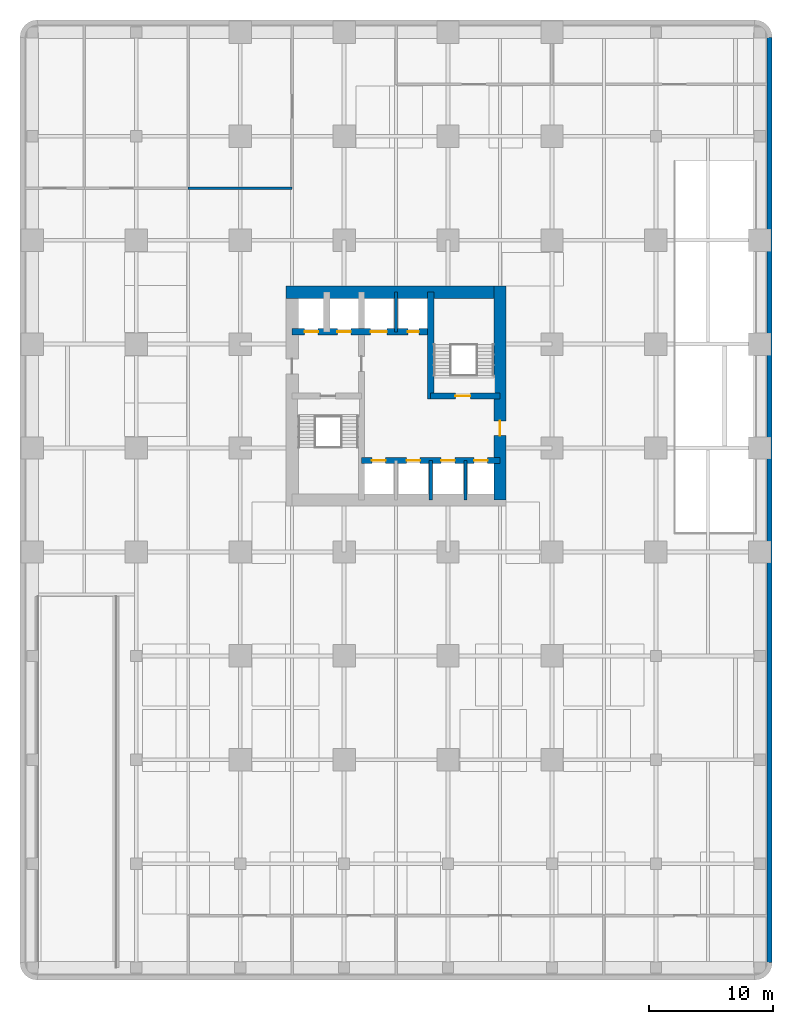
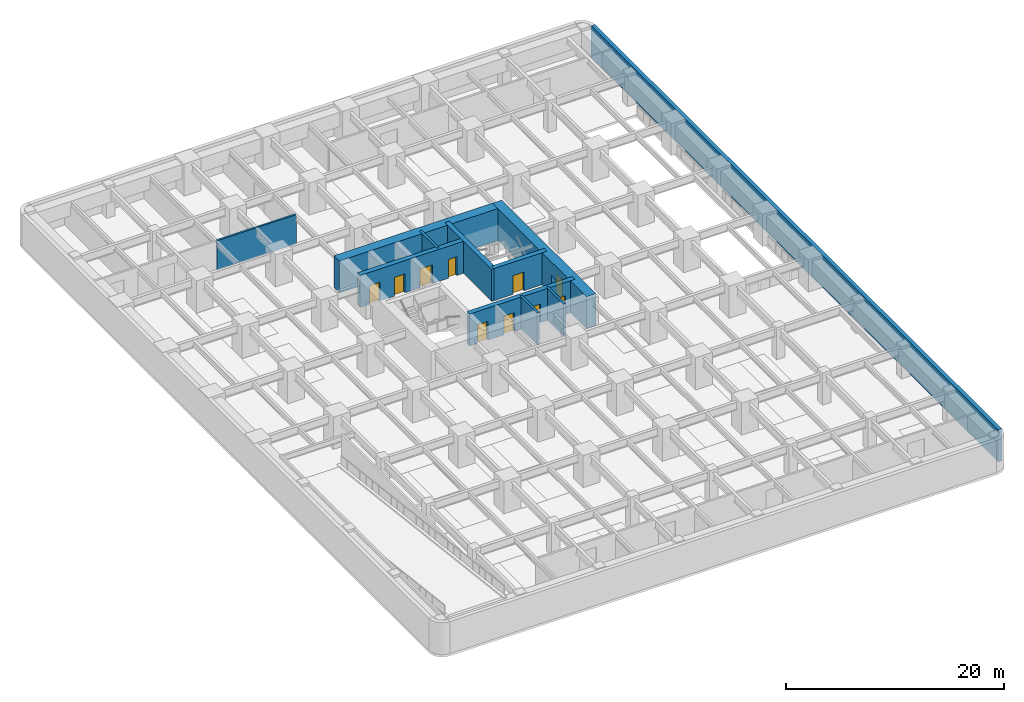
# One storey, part 5 of 9: 11 walls, 10 doors, 10 openings.
"""IFC4 building model written with IfcOpenShell, lengths in metres."""

from ifc_helpers import new_model, si_unit, direction, frame, frame_2d, origin, place, context, subcontext, project, spatial, rectangle, extrude, material, layer, layer_set, type_object, element, fill, save


model = new_model("IFC4")

# Units and contexts
model_context = context("Model", 3, precision=1e-05, world=origin(), true_north=direction((0.0, 1.0)))
body_context = subcontext(model_context, "Body", "Model", "MODEL_VIEW")
ifc_project = project(units=[si_unit("LENGTHUNIT", "METRE"), si_unit("AREAUNIT", "SQUARE_METRE"), si_unit("VOLUMEUNIT", "CUBIC_METRE"), si_unit("PLANEANGLEUNIT", "RADIAN"), si_unit("MASSUNIT", "GRAM", prefix="KILO")], contexts=[model_context])

# Site, building, storey
site_placement = place(None, origin())
site = spatial("IfcSite", under=ifc_project, at=site_placement, CompositionType="ELEMENT")
building_placement = place(site_placement, origin())
building = spatial("IfcBuilding", under=site, at=building_placement, Name="Torre Alcanfor", CompositionType="ELEMENT")
storey_placement = place(building_placement, frame((0.0, 0.0, -3.60009765625)))
storey = spatial("IfcBuildingStorey", under=building, at=storey_placement, Name="B1", CompositionType="ELEMENT", Elevation=-3.60009765625)

# Wall
ifc_material_1 = material(Name="Concrete f'c 70 MPa", Category="concrete")
ifc_layer_1 = layer(ifc_material_1, 0.39990234375)
ifc_layer_set_1 = layer_set([ifc_layer_1], Name="Basement retaining wall 400")
wall_type_1 = type_object("IfcWallType", Name="Basement retaining wall 400", PredefinedType="SOLIDWALL", material=ifc_layer_set_1)
wall_1_placement = place(storey_placement, frame((59.60009765625, -16.39990234375, 0.0), z_axis=(0.0, 0.0, 1.0), x_axis=(0.0, 1.0, 0.0)))
element("IfcWall", 1, at=wall_1_placement, inside=storey, type_object=wall_type_1, Name="Retaining wall B1 1", PredefinedType="SOLIDWALL", context=body_context, shape_type="SweptSolid", body=[
    extrude(rectangle(XDim=74.7998046875, YDim=0.39990234375, at=frame_2d((37.39990234375, 0.0))), origin(), (0.0, 0.0, 1.0), 3.60009765625),
])

# Wall, openings, doors
ifc_material_2 = material(Name="Concrete f'c 70 MPa", Category="concrete")
ifc_layer_2 = layer(ifc_material_2, 0.5)
ifc_layer_set_2 = layer_set([ifc_layer_2], Name="Core inner wall 500 f'c70")
wall_type_2 = type_object("IfcWallType", Name="Core inner wall 500 f'c70", PredefinedType="SHEAR", material=ifc_layer_set_2)
wall_2_placement = place(storey_placement, frame((21.0, 34.60009765625, 0.0), z_axis=(0.0, 0.0, 1.0), x_axis=(1.0, 0.0, 0.0)))
wall_2 = element("IfcWall", 2, at=wall_2_placement, inside=storey, type_object=wall_type_2, Name="Core wall Y346 B1", PredefinedType="SHEAR", context=body_context, shape_type="SweptSolid", body=[
    extrude(rectangle(XDim=11.199951171875, YDim=0.5, at=frame_2d((5.60009765625, 0.0))), origin(), (0.0, 0.0, 1.0), 3.60009765625),
])
opening_1_placement = place(wall_2_placement, frame((9.35009765625, 0.0, 0.0)))
opening_1 = element("IfcOpeningElement", 3, at=opening_1_placement, cuts=wall_2, Name="Opening D-Q1", PredefinedType="OPENING", context=body_context, shape_type="SweptSolid", body=[
    extrude(rectangle(XDim=0.89990234375, YDim=2.10009765625, at=frame_2d((0.449951171875, 1.050048828125))), frame((0.0, 0.260009765625, 0.0), z_axis=(0.0, -1.0, 0.0), x_axis=(1.0, 0.0, 0.0)), (0.0, 0.0, 1.0), 0.52001953125),
])
opening_2_placement = place(wall_2_placement, frame((1.0, 0.0, 0.0)))
opening_2 = element("IfcOpeningElement", 4, at=opening_2_placement, cuts=wall_2, Name="Opening LD2", PredefinedType="OPENING", context=body_context, shape_type="SweptSolid", body=[
    extrude(rectangle(XDim=1.10009765625, YDim=2.10009765625, at=frame_2d((0.550048828125, 1.050048828125))), frame((0.0, 0.260009765625, 0.0), z_axis=(0.0, -1.0, 0.0), x_axis=(1.0, 0.0, 0.0)), (0.0, 0.0, 1.0), 0.52001953125),
])
opening_3_placement = place(wall_2_placement, frame((3.64990234375, 0.0, 0.0)))
opening_3 = element("IfcOpeningElement", 5, at=opening_3_placement, cuts=wall_2, Name="Opening LD2", PredefinedType="OPENING", context=body_context, shape_type="SweptSolid", body=[
    extrude(rectangle(XDim=1.10009765625, YDim=2.10009765625, at=frame_2d((0.550048828125, 1.050048828125))), frame((0.0, 0.260009765625, 0.0), z_axis=(0.0, -1.0, 0.0), x_axis=(1.0, 0.0, 0.0)), (0.0, 0.0, 1.0), 0.52001953125),
])
opening_4_placement = place(wall_2_placement, frame((6.35009765625, 0.0, 0.0)))
opening_4 = element("IfcOpeningElement", 6, at=opening_4_placement, cuts=wall_2, Name="Opening LD3", PredefinedType="OPENING", context=body_context, shape_type="SweptSolid", body=[
    extrude(rectangle(XDim=1.300048828125, YDim=2.10009765625, at=frame_2d((0.64990234375, 1.050048828125))), frame((0.0, 0.260009765625, 0.0), z_axis=(0.0, -1.0, 0.0), x_axis=(1.0, 0.0, 0.0)), (0.0, 0.0, 1.0), 0.52001953125),
])
ifc_material_3 = material(Name="Galvanised steel sheet ASTM A653", Category="steel")
door_type_1 = type_object("IfcDoorType", Name="Firefighting lift landing door 1100x2100", OperationType="DOUBLE_DOOR_SLIDING", PredefinedType="DOOR", material=ifc_material_3)
door_1_placement = place(opening_2_placement, origin())
door_1 = element("IfcDoor", 7, at=door_1_placement, inside=storey, type_object=door_type_1, Name="Lift landing door FL1 B1", OperationType="DOUBLE_DOOR_SLIDING", OverallHeight=2.10009765625, OverallWidth=1.10009765625, PredefinedType="DOOR", context=body_context, shape_type="SweptSolid", body=[
    extrude(rectangle(XDim=1.10009765625, YDim=2.10009765625, at=frame_2d((0.550048828125, 1.050048828125))), frame((0.0, 0.02490234375, 0.0), z_axis=(0.0, -1.0, 0.0), x_axis=(1.0, 0.0, 0.0)), (0.0, 0.0, 1.0), 0.050048828125),
])
fill(opening_2, door_1)
door_2_placement = place(opening_3_placement, origin())
door_2 = element("IfcDoor", 8, at=door_2_placement, inside=storey, type_object=door_type_1, Name="Lift landing door FL2 B1", OperationType="DOUBLE_DOOR_SLIDING", OverallHeight=2.10009765625, OverallWidth=1.10009765625, PredefinedType="DOOR", context=body_context, shape_type="SweptSolid", body=[
    extrude(rectangle(XDim=1.10009765625, YDim=2.10009765625, at=frame_2d((0.550048828125, 1.050048828125))), frame((0.0, 0.02490234375, 0.0), z_axis=(0.0, -1.0, 0.0), x_axis=(1.0, 0.0, 0.0)), (0.0, 0.0, 1.0), 0.050048828125),
])
fill(opening_3, door_2)
ifc_material_4 = material(Name="Galvanised steel sheet ASTM A653", Category="steel")
door_type_2 = type_object("IfcDoorType", Name="Riser access door FD120 900x2100", OperationType="SINGLE_SWING_LEFT", PredefinedType="DOOR", material=ifc_material_4)
door_3_placement = place(opening_1_placement, origin())
door_3 = element("IfcDoor", 9, at=door_3_placement, inside=storey, type_object=door_type_2, Name="Riser door B1", OperationType="SINGLE_SWING_LEFT", OverallHeight=2.10009765625, OverallWidth=0.89990234375, PredefinedType="DOOR", context=body_context, shape_type="SweptSolid", body=[
    extrude(rectangle(XDim=0.89990234375, YDim=2.10009765625, at=frame_2d((0.449951171875, 1.050048828125))), frame((0.0, 0.02490234375, 0.0), z_axis=(0.0, -1.0, 0.0), x_axis=(1.0, 0.0, 0.0)), (0.0, 0.0, 1.0), 0.050048828125),
])
fill(opening_1, door_3)
ifc_material_5 = material(Name="Galvanised steel sheet ASTM A653", Category="steel")
door_type_3 = type_object("IfcDoorType", Name="Service lift landing door 1300x2100", OperationType="DOUBLE_DOOR_SLIDING", PredefinedType="DOOR", material=ifc_material_5)
door_4_placement = place(opening_4_placement, origin())
door_4 = element("IfcDoor", 10, at=door_4_placement, inside=storey, type_object=door_type_3, Name="Lift landing door SL1 B1", OperationType="DOUBLE_DOOR_SLIDING", OverallHeight=2.10009765625, OverallWidth=1.300048828125, PredefinedType="DOOR", context=body_context, shape_type="SweptSolid", body=[
    extrude(rectangle(XDim=1.300048828125, YDim=2.10009765625, at=frame_2d((0.64990234375, 1.050048828125))), frame((0.0, 0.02490234375, 0.0), z_axis=(0.0, -1.0, 0.0), x_axis=(1.0, 0.0, 0.0)), (0.0, 0.0, 1.0), 0.050048828125),
])
fill(opening_4, door_4)

wall_3_placement = place(storey_placement, frame((26.60009765625, 24.199951171875, 0.0), z_axis=(0.0, 0.0, 1.0), x_axis=(1.0, 0.0, 0.0)))
wall_3 = element("IfcWall", 11, at=wall_3_placement, inside=storey, type_object=wall_type_2, Name="Core wall Y242 B1", PredefinedType="SHEAR", context=body_context, shape_type="SweptSolid", body=[
    extrude(rectangle(XDim=11.199951171875, YDim=0.5, at=frame_2d((5.60009765625, 0.0))), origin(), (0.0, 0.0, 1.0), 3.60009765625),
])
opening_5_placement = place(wall_3_placement, frame((0.85009765625, 0.0, 0.0)))
opening_5 = element("IfcOpeningElement", 12, at=opening_5_placement, cuts=wall_3, Name="Opening LD1", PredefinedType="OPENING", context=body_context, shape_type="SweptSolid", body=[
    extrude(rectangle(XDim=1.10009765625, YDim=2.10009765625, at=frame_2d((0.550048828125, 1.050048828125))), frame((0.0, 0.260009765625, 0.0), z_axis=(0.0, -1.0, 0.0), x_axis=(1.0, 0.0, 0.0)), (0.0, 0.0, 1.0), 0.52001953125),
])
opening_6_placement = place(wall_3_placement, frame((3.64990234375, 0.0, 0.0)))
opening_6 = element("IfcOpeningElement", 13, at=opening_6_placement, cuts=wall_3, Name="Opening LD1", PredefinedType="OPENING", context=body_context, shape_type="SweptSolid", body=[
    extrude(rectangle(XDim=1.10009765625, YDim=2.10009765625, at=frame_2d((0.550048828125, 1.050048828125))), frame((0.0, 0.260009765625, 0.0), z_axis=(0.0, -1.0, 0.0), x_axis=(1.0, 0.0, 0.0)), (0.0, 0.0, 1.0), 0.52001953125),
])
opening_7_placement = place(wall_3_placement, frame((6.449951171875, 0.0, 0.0)))
opening_7 = element("IfcOpeningElement", 14, at=opening_7_placement, cuts=wall_3, Name="Opening LD1", PredefinedType="OPENING", context=body_context, shape_type="SweptSolid", body=[
    extrude(rectangle(XDim=1.10009765625, YDim=2.10009765625, at=frame_2d((0.550048828125, 1.050048828125))), frame((0.0, 0.260009765625, 0.0), z_axis=(0.0, -1.0, 0.0), x_axis=(1.0, 0.0, 0.0)), (0.0, 0.0, 1.0), 0.52001953125),
])
opening_8_placement = place(wall_3_placement, frame((9.10009765625, 0.0, 0.0)))
opening_8 = element("IfcOpeningElement", 15, at=opening_8_placement, cuts=wall_3, Name="Opening LD1", PredefinedType="OPENING", context=body_context, shape_type="SweptSolid", body=[
    extrude(rectangle(XDim=1.10009765625, YDim=2.10009765625, at=frame_2d((0.550048828125, 1.050048828125))), frame((0.0, 0.260009765625, 0.0), z_axis=(0.0, -1.0, 0.0), x_axis=(1.0, 0.0, 0.0)), (0.0, 0.0, 1.0), 0.52001953125),
])
ifc_material_6 = material(Name="Galvanised steel sheet ASTM A653", Category="steel")
door_type_4 = type_object("IfcDoorType", Name="Lift landing door 1100x2100", OperationType="DOUBLE_DOOR_SLIDING", PredefinedType="DOOR", material=ifc_material_6)
door_5_placement = place(opening_5_placement, origin())
door_5 = element("IfcDoor", 16, at=door_5_placement, inside=storey, type_object=door_type_4, Name="Lift landing door PA1 B1", OperationType="DOUBLE_DOOR_SLIDING", OverallHeight=2.10009765625, OverallWidth=1.10009765625, PredefinedType="DOOR", context=body_context, shape_type="SweptSolid", body=[
    extrude(rectangle(XDim=1.10009765625, YDim=2.10009765625, at=frame_2d((0.550048828125, 1.050048828125))), frame((0.0, 0.02490234375, 0.0), z_axis=(0.0, -1.0, 0.0), x_axis=(1.0, 0.0, 0.0)), (0.0, 0.0, 1.0), 0.050048828125),
])
fill(opening_5, door_5)
door_6_placement = place(opening_6_placement, origin())
door_6 = element("IfcDoor", 17, at=door_6_placement, inside=storey, type_object=door_type_4, Name="Lift landing door PA2 B1", OperationType="DOUBLE_DOOR_SLIDING", OverallHeight=2.10009765625, OverallWidth=1.10009765625, PredefinedType="DOOR", context=body_context, shape_type="SweptSolid", body=[
    extrude(rectangle(XDim=1.10009765625, YDim=2.10009765625, at=frame_2d((0.550048828125, 1.050048828125))), frame((0.0, 0.02490234375, 0.0), z_axis=(0.0, -1.0, 0.0), x_axis=(1.0, 0.0, 0.0)), (0.0, 0.0, 1.0), 0.050048828125),
])
fill(opening_6, door_6)
door_7_placement = place(opening_7_placement, origin())
door_7 = element("IfcDoor", 18, at=door_7_placement, inside=storey, type_object=door_type_4, Name="Lift landing door PA3 B1", OperationType="DOUBLE_DOOR_SLIDING", OverallHeight=2.10009765625, OverallWidth=1.10009765625, PredefinedType="DOOR", context=body_context, shape_type="SweptSolid", body=[
    extrude(rectangle(XDim=1.10009765625, YDim=2.10009765625, at=frame_2d((0.550048828125, 1.050048828125))), frame((0.0, 0.02490234375, 0.0), z_axis=(0.0, -1.0, 0.0), x_axis=(1.0, 0.0, 0.0)), (0.0, 0.0, 1.0), 0.050048828125),
])
fill(opening_7, door_7)
door_8_placement = place(opening_8_placement, origin())
door_8 = element("IfcDoor", 19, at=door_8_placement, inside=storey, type_object=door_type_4, Name="Lift landing door PA4 B1", OperationType="DOUBLE_DOOR_SLIDING", OverallHeight=2.10009765625, OverallWidth=1.10009765625, PredefinedType="DOOR", context=body_context, shape_type="SweptSolid", body=[
    extrude(rectangle(XDim=1.10009765625, YDim=2.10009765625, at=frame_2d((0.550048828125, 1.050048828125))), frame((0.0, 0.02490234375, 0.0), z_axis=(0.0, -1.0, 0.0), x_axis=(1.0, 0.0, 0.0)), (0.0, 0.0, 1.0), 0.050048828125),
])
fill(opening_8, door_8)

# Wall
wall_4_placement = place(storey_placement, frame((32.199951171875, 29.14990234375, 0.0), z_axis=(0.0, 0.0, 1.0), x_axis=(0.0, 1.0, 0.0)))
element("IfcWall", 20, at=wall_4_placement, inside=storey, type_object=wall_type_2, Name="Core wall X322N B1", PredefinedType="SHEAR", context=body_context, shape_type="SweptSolid", body=[
    extrude(rectangle(XDim=8.650146484375, YDim=0.5, at=frame_2d((4.3251953125, 0.0))), origin(), (0.0, 0.0, 1.0), 3.60009765625),
])

# Wall, opening, door
wall_5_placement = place(storey_placement, frame((32.199951171875, 29.39990234375, 0.0), z_axis=(0.0, 0.0, 1.0), x_axis=(1.0, 0.0, 0.0)))
wall_5 = element("IfcWall", 21, at=wall_5_placement, inside=storey, type_object=wall_type_2, Name="Core wall Y294E B1", PredefinedType="SHEAR", context=body_context, shape_type="SweptSolid", body=[
    extrude(rectangle(XDim=5.60009765625, YDim=0.5, at=frame_2d((2.800048828125, 0.0))), origin(), (0.0, 0.0, 1.0), 3.60009765625),
])
opening_9_placement = place(wall_5_placement, frame((2.0, 0.0, 0.0)))
opening_9 = element("IfcOpeningElement", 22, at=opening_9_placement, cuts=wall_5, Name="Opening D-S2", PredefinedType="OPENING", context=body_context, shape_type="SweptSolid", body=[
    extrude(rectangle(XDim=1.199951171875, YDim=2.10009765625, at=frame_2d((0.60009765625, 1.050048828125))), frame((0.0, 0.260009765625, 0.0), z_axis=(0.0, -1.0, 0.0), x_axis=(1.0, 0.0, 0.0)), (0.0, 0.0, 1.0), 0.52001953125),
])
ifc_material_7 = material(Name="Galvanised steel sheet ASTM A653", Category="steel")
door_type_5 = type_object("IfcDoorType", Name="Stair enclosure door FD120 1200x2100", OperationType="SINGLE_SWING_LEFT", PredefinedType="DOOR", material=ifc_material_7)
door_9_placement = place(opening_9_placement, origin())
door_9 = element("IfcDoor", 23, at=door_9_placement, inside=storey, type_object=door_type_5, Name="Stair S2 door B1", OperationType="SINGLE_SWING_LEFT", OverallHeight=2.10009765625, OverallWidth=1.199951171875, PredefinedType="DOOR", context=body_context, shape_type="SweptSolid", body=[
    extrude(rectangle(XDim=1.199951171875, YDim=2.10009765625, at=frame_2d((0.60009765625, 1.050048828125))), frame((0.0, 0.02490234375, 0.0), z_axis=(0.0, -1.0, 0.0), x_axis=(1.0, 0.0, 0.0)), (0.0, 0.0, 1.0), 0.050048828125),
])
fill(opening_9, door_9)

# Walls
ifc_material_8 = material(Name="Concrete f'c 70 MPa", Category="concrete")
ifc_layer_3 = layer(ifc_material_8, 0.25)
ifc_layer_set_3 = layer_set([ifc_layer_3], Name="Core shaft wall 250 f'c70")
wall_type_3 = type_object("IfcWallType", Name="Core shaft wall 250 f'c70", PredefinedType="SHEAR", material=ifc_layer_set_3)
for number, where, z_axis, x_axis, name in (
    (24, (32.199951171875, 21.0, 0.0), (0.0, 0.0, 1.0), (0.0, 1.0, 0.0), "Core wall X322S B1"),
    (25, (35.0, 21.0, 0.0), (0.0, 0.0, 1.0), (0.0, 1.0, 0.0), "Core wall X350S B1"),
    (26, (29.39990234375, 34.60009765625, 0.0), (0.0, 0.0, 1.0), (0.0, 1.0, 0.0), "Core wall X294N B1"),
):
    element("IfcWall", number, at=place(storey_placement, frame(where, z_axis=z_axis, x_axis=x_axis)), inside=storey, type_object=wall_type_3, Name=name, PredefinedType="SHEAR", context=body_context, shape_type="SweptSolid", body=[
        extrude(rectangle(XDim=3.199951171875, YDim=0.25, at=frame_2d((1.60009765625, 0.0))), origin(), (0.0, 0.0, 1.0), 3.60009765625),
    ])

# Wall, opening, door
ifc_material_9 = material(Name="Concrete f'c 70 MPa", Category="concrete")
ifc_layer_4 = layer(ifc_material_9, 1.0)
ifc_layer_set_4 = layer_set([ifc_layer_4], Name="Core wall 1000 f'c70")
wall_type_4 = type_object("IfcWallType", Name="Core wall 1000 f'c70", PredefinedType="SHEAR", material=ifc_layer_set_4)
wall_6_placement = place(storey_placement, frame((37.800048828125, 21.0, 0.0), z_axis=(0.0, 0.0, 1.0), x_axis=(0.0, 1.0, 0.0)))
wall_6 = element("IfcWall", 27, at=wall_6_placement, inside=storey, type_object=wall_type_4, Name="Core wall OUT-E B1", PredefinedType="SHEAR", context=body_context, shape_type="SweptSolid", body=[
    extrude(rectangle(XDim=17.300048828125, YDim=1.0, at=frame_2d((8.64990234375, 0.0))), origin(), (0.0, 0.0, 1.0), 3.60009765625),
])
opening_10_placement = place(wall_6_placement, frame((5.199951171875, 0.0, 0.0)))
opening_10 = element("IfcOpeningElement", 28, at=opening_10_placement, cuts=wall_6, Name="Opening D-L1", PredefinedType="OPENING", context=body_context, shape_type="SweptSolid", body=[
    extrude(rectangle(XDim=1.199951171875, YDim=2.10009765625, at=frame_2d((0.60009765625, 1.050048828125))), frame((0.0, 0.510009765625, 0.0), z_axis=(0.0, -1.0, 0.0), x_axis=(1.0, 0.0, 0.0)), (0.0, 0.0, 1.0), 1.02001953125),
])
ifc_material_10 = material(Name="Galvanised steel sheet ASTM A653", Category="steel")
door_type_6 = type_object("IfcDoorType", Name="Lobby door FD120 1200x2100", OperationType="SINGLE_SWING_LEFT", PredefinedType="DOOR", material=ifc_material_10)
door_10_placement = place(opening_10_placement, frame((1.199951171875, 0.0, 0.0), z_axis=(0.0, 0.0, 1.0), x_axis=(-1.0, 0.0, 0.0)))
door_10 = element("IfcDoor", 29, at=door_10_placement, inside=storey, type_object=door_type_6, Name="Lift lobby entrance door B1", OperationType="SINGLE_SWING_RIGHT", OverallHeight=2.10009765625, OverallWidth=1.199951171875, PredefinedType="DOOR", context=body_context, shape_type="SweptSolid", body=[
    extrude(rectangle(XDim=1.199951171875, YDim=2.10009765625, at=frame_2d((0.599853515625, 1.050048828125))), frame((0.0, 0.025146484375, 0.0), z_axis=(0.0, -1.0, 0.0), x_axis=(1.0, 0.0, 0.0)), (0.0, 0.0, 1.0), 0.050048828125),
])
fill(opening_10, door_10)

# Walls
wall_7_placement = place(storey_placement, frame((37.800048828125, 37.800048828125, 0.0), z_axis=(0.0, 0.0, 1.0), x_axis=(-1.0, 0.0, 0.0)))
element("IfcWall", 30, at=wall_7_placement, inside=storey, type_object=wall_type_4, Name="Core wall OUT-N B1", PredefinedType="SHEAR", context=body_context, shape_type="SweptSolid", body=[
    extrude(rectangle(XDim=17.300048828125, YDim=1.0, at=frame_2d((8.64990234375, 0.0))), origin(), (0.0, 0.0, 1.0), 3.60009765625),
])
ifc_material_11 = material(Name="Concrete block masonry, hollow blocks NMX-C-404 9 MPa", Category="masonry")
ifc_layer_5 = layer(ifc_material_11, 0.199951171875)
ifc_layer_set_5 = layer_set([ifc_layer_5], Name="Plant room wall 200 EI 60")
wall_type_5 = type_object("IfcWallType", Name="Plant room wall 200 EI 60", PredefinedType="PARTITIONING", material=ifc_layer_set_5)
wall_8_placement = place(storey_placement, frame((12.60009765625, 46.199951171875, 0.0), z_axis=(0.0, 0.0, 1.0), x_axis=(1.0, 0.0, 0.0)))
element("IfcWall", 31, at=wall_8_placement, inside=storey, type_object=wall_type_5, Name="Partition B1-PARK / B1-R03", PredefinedType="PARTITIONING", context=body_context, shape_type="SweptSolid", body=[
    extrude(rectangle(XDim=8.39990234375, YDim=0.199951171875, at=frame_2d((4.199951171875, 0.0))), origin(), (0.0, 0.0, 1.0), 3.300048828125),
])

save(model, "model.ifc")
